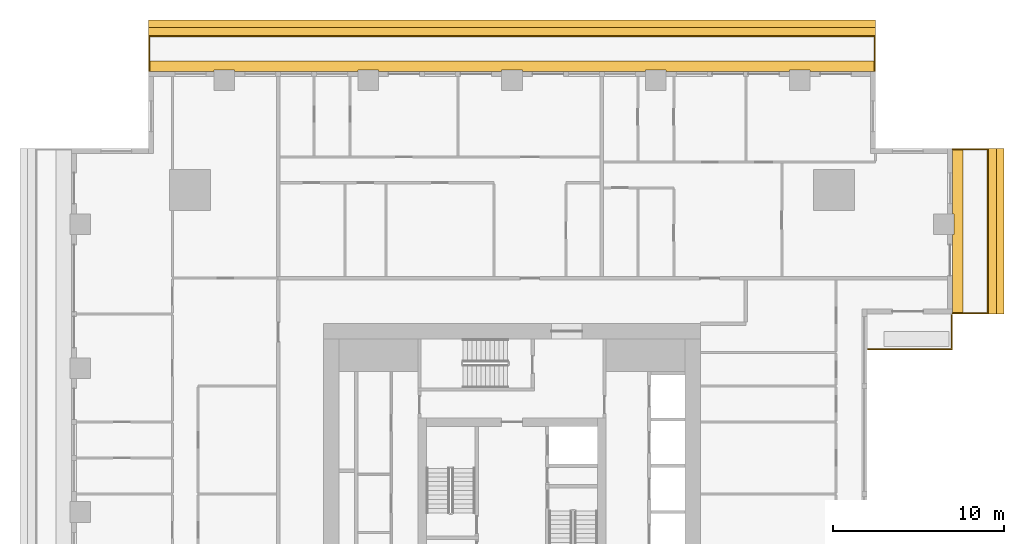
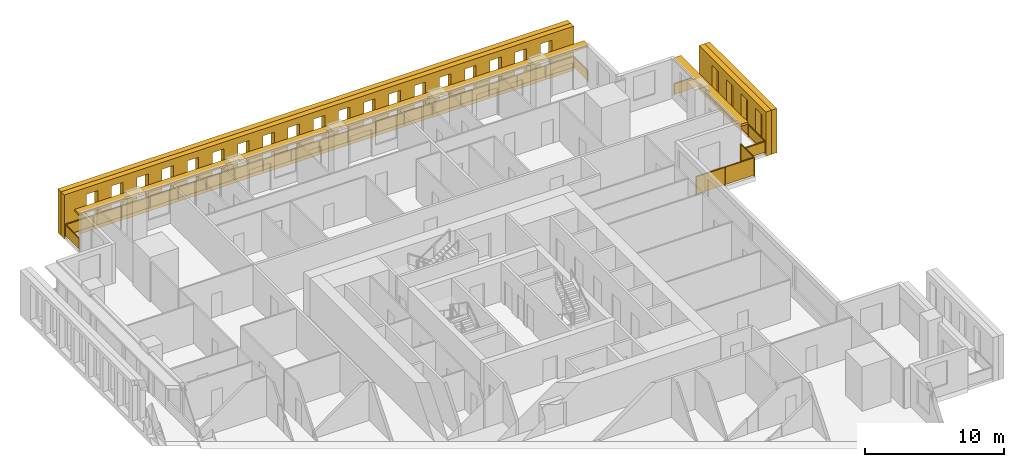
# One storey, part 15 of 15: 6 shading devices, 3 railings.
"""IFC4 building model written with IfcOpenShell, lengths in metres."""

from ifc_helpers import new_model, si_unit, direction, frame, origin, origin_2d, place, context, subcontext, project, spatial, polyline, rectangle, outline, extrude, material, layer, layer_set, type_object, element, save


model = new_model("IFC4")

# Units and contexts
model_context = context("Model", 3, precision=1e-05, world=origin(), true_north=direction((0.0, 1.0)))
body_context = subcontext(model_context, "Body", "Model", "MODEL_VIEW")
ifc_project = project(units=[si_unit("LENGTHUNIT", "METRE"), si_unit("AREAUNIT", "SQUARE_METRE"), si_unit("VOLUMEUNIT", "CUBIC_METRE"), si_unit("PLANEANGLEUNIT", "RADIAN"), si_unit("MASSUNIT", "GRAM", prefix="KILO")], contexts=[model_context])

# Site, building, storey
site_placement = place(None, origin())
site = spatial("IfcSite", under=ifc_project, at=site_placement, CompositionType="ELEMENT")
building_placement = place(site_placement, origin())
building = spatial("IfcBuilding", under=site, at=building_placement, Name="Khepri Terraces", CompositionType="ELEMENT")
storey_placement = place(building_placement, frame((0.0, 0.0, 219.60009765625)))
storey = spatial("IfcBuildingStorey", under=building, at=storey_placement, Name="L52", CompositionType="ELEMENT", Elevation=219.60009765625)

# Railings
ifc_material_1 = material(Name="Stainless steel grade 316", Category="steel")
railing_type_1 = type_object("IfcRailingType", Name="GRD-BAL-1100", PredefinedType="GUARDRAIL", material=ifc_material_1)
railing_1_placement = place(storey_placement, frame((25.719970703125, 11.60009765625, 0.0)))
element("IfcRailing", 1, at=railing_1_placement, inside=storey, type_object=railing_type_1, Name="Balcony guard L52 E", PredefinedType="GUARDRAIL", context=body_context, shape_type="SweptSolid", body=[
    extrude(rectangle(XDim=0.050048828125, YDim=0.06005859375, at=origin_2d()), frame((0.0, 0.0, 1.070068359375), z_axis=(1.0, 0.0, 0.0), x_axis=(0.0, 1.0, 0.0)), (0.0, 0.0, 1.0), 2.050048828125),
    extrude(rectangle(XDim=2.0, YDim=0.011962890625, at=origin_2d()), frame((1.02490234375, 0.0, 0.10009765625), z_axis=(0.0, 0.0, 1.0), x_axis=(1.0, 0.0, 0.0)), (0.0, 0.0, 1.0), 0.93994140625),
    extrude(rectangle(XDim=0.050048828125, YDim=0.06005859375, at=origin_2d()), frame((2.050048828125, 0.0, 1.070068359375), z_axis=(0.0, 1.0, 0.0), x_axis=(-1.0, 0.0, 0.0)), (0.0, 0.0, 1.0), 9.56982421875),
    extrude(rectangle(XDim=2.34228515625, YDim=0.011962890625, at=origin_2d()), frame((2.050048828125, 1.1962890625, 0.10009765625), z_axis=(0.0, 0.0, 1.0), x_axis=(0.0, 1.0, 0.0)), (0.0, 0.0, 1.0), 0.93994140625),
    extrude(rectangle(XDim=2.34228515625, YDim=0.011962890625, at=origin_2d()), frame((2.050048828125, 3.588623046875, 0.10009765625), z_axis=(0.0, 0.0, 1.0), x_axis=(0.0, 1.0, 0.0)), (0.0, 0.0, 1.0), 0.93994140625),
    extrude(rectangle(XDim=2.34228515625, YDim=0.011962890625, at=origin_2d()), frame((2.050048828125, 5.981201171875, 0.10009765625), z_axis=(0.0, 0.0, 1.0), x_axis=(0.0, 1.0, 0.0)), (0.0, 0.0, 1.0), 0.93994140625),
    extrude(rectangle(XDim=2.34228515625, YDim=0.011962890625, at=origin_2d()), frame((2.050048828125, 8.37353515625, 0.10009765625), z_axis=(0.0, 0.0, 1.0), x_axis=(0.0, 1.0, 0.0)), (0.0, 0.0, 1.0), 0.93994140625),
    extrude(rectangle(XDim=0.050048828125, YDim=0.06005859375, at=origin_2d()), frame((2.050048828125, 9.56982421875, 1.070068359375), z_axis=(-1.0, 0.0, 0.0), x_axis=(0.0, -1.0, 0.0)), (0.0, 0.0, 1.0), 2.050048828125),
    extrude(rectangle(XDim=2.0, YDim=0.011962890625, at=origin_2d()), frame((1.02490234375, 9.56982421875, 0.10009765625), z_axis=(0.0, 0.0, 1.0), x_axis=(-1.0, 0.0, 0.0)), (0.0, 0.0, 1.0), 0.93994140625),
    extrude(rectangle(XDim=0.050048828125, YDim=0.050048828125, at=origin_2d()), origin(), (0.0, 0.0, 1.0), 1.0400390625),
    extrude(rectangle(XDim=0.050048828125, YDim=0.050048828125, at=origin_2d()), frame((2.050048828125, 0.0, 0.0)), (0.0, 0.0, 1.0), 1.0400390625),
    extrude(rectangle(XDim=0.050048828125, YDim=0.050048828125, at=origin_2d()), frame((2.050048828125, 2.392578125, 0.0)), (0.0, 0.0, 1.0), 1.0400390625),
    extrude(rectangle(XDim=0.050048828125, YDim=0.050048828125, at=origin_2d()), frame((2.050048828125, 4.784912109375, 0.0)), (0.0, 0.0, 1.0), 1.0400390625),
    extrude(rectangle(XDim=0.050048828125, YDim=0.050048828125, at=origin_2d()), frame((2.050048828125, 7.17724609375, 0.0)), (0.0, 0.0, 1.0), 1.0400390625),
    extrude(rectangle(XDim=0.050048828125, YDim=0.050048828125, at=origin_2d()), frame((2.050048828125, 9.56982421875, 0.0)), (0.0, 0.0, 1.0), 1.0400390625),
    extrude(rectangle(XDim=0.050048828125, YDim=0.050048828125, at=origin_2d()), frame((0.0, 9.56982421875, 0.0)), (0.0, 0.0, 1.0), 1.0400390625),
])
railing_2_placement = place(storey_placement, frame((21.169921875, 25.719970703125, 0.0)))
element("IfcRailing", 2, at=railing_2_placement, inside=storey, type_object=railing_type_1, Name="Balcony guard L52 N", PredefinedType="GUARDRAIL", context=body_context, shape_type="SweptSolid", body=[
    extrude(rectangle(XDim=0.050048828125, YDim=0.06005859375, at=origin_2d()), frame((0.0, 0.0, 1.070068359375), z_axis=(0.0, 1.0, 0.0), x_axis=(-1.0, 0.0, 0.0)), (0.0, 0.0, 1.0), 2.050048828125),
    extrude(rectangle(XDim=2.0, YDim=0.011962890625, at=origin_2d()), frame((0.0, 1.02490234375, 0.10009765625), z_axis=(0.0, 0.0, 1.0), x_axis=(0.0, 1.0, 0.0)), (0.0, 0.0, 1.0), 0.93994140625),
    extrude(rectangle(XDim=0.050048828125, YDim=0.06005859375, at=origin_2d()), frame((0.0, 2.050048828125, 1.070068359375), z_axis=(-1.0, 0.0, 0.0), x_axis=(0.0, -1.0, 0.0)), (0.0, 0.0, 1.0), 42.33984375),
    extrude(rectangle(XDim=2.30224609375, YDim=0.011962890625, at=origin_2d()), frame((-1.176025390625, 2.050048828125, 0.10009765625), z_axis=(0.0, 0.0, 1.0), x_axis=(-1.0, 0.0, 0.0)), (0.0, 0.0, 1.0), 0.93994140625),
    extrude(rectangle(XDim=2.30224609375, YDim=0.011962890625, at=origin_2d()), frame((-3.5283203125, 2.050048828125, 0.10009765625), z_axis=(0.0, 0.0, 1.0), x_axis=(-1.0, 0.0, 0.0)), (0.0, 0.0, 1.0), 0.93994140625),
    extrude(rectangle(XDim=2.30224609375, YDim=0.011962890625, at=origin_2d()), frame((-5.880615234375, 2.050048828125, 0.10009765625), z_axis=(0.0, 0.0, 1.0), x_axis=(-1.0, 0.0, 0.0)), (0.0, 0.0, 1.0), 0.93994140625),
    extrude(rectangle(XDim=2.30224609375, YDim=0.011962890625, at=origin_2d()), frame((-8.232666015625, 2.050048828125, 0.10009765625), z_axis=(0.0, 0.0, 1.0), x_axis=(-1.0, 0.0, 0.0)), (0.0, 0.0, 1.0), 0.93994140625),
    extrude(rectangle(XDim=2.30224609375, YDim=0.011962890625, at=origin_2d()), frame((-10.5849609375, 2.050048828125, 0.10009765625), z_axis=(0.0, 0.0, 1.0), x_axis=(-1.0, 0.0, 0.0)), (0.0, 0.0, 1.0), 0.93994140625),
    extrude(rectangle(XDim=2.30224609375, YDim=0.011962890625, at=origin_2d()), frame((-12.937255859375, 2.050048828125, 0.10009765625), z_axis=(0.0, 0.0, 1.0), x_axis=(-1.0, 0.0, 0.0)), (0.0, 0.0, 1.0), 0.93994140625),
    extrude(rectangle(XDim=2.30224609375, YDim=0.011962890625, at=origin_2d()), frame((-15.289306640625, 2.050048828125, 0.10009765625), z_axis=(0.0, 0.0, 1.0), x_axis=(-1.0, 0.0, 0.0)), (0.0, 0.0, 1.0), 0.93994140625),
    extrude(rectangle(XDim=2.30224609375, YDim=0.011962890625, at=origin_2d()), frame((-17.6416015625, 2.050048828125, 0.10009765625), z_axis=(0.0, 0.0, 1.0), x_axis=(-1.0, 0.0, 0.0)), (0.0, 0.0, 1.0), 0.93994140625),
    extrude(rectangle(XDim=2.30224609375, YDim=0.011962890625, at=origin_2d()), frame((-19.993896484375, 2.050048828125, 0.10009765625), z_axis=(0.0, 0.0, 1.0), x_axis=(-1.0, 0.0, 0.0)), (0.0, 0.0, 1.0), 0.93994140625),
    extrude(rectangle(XDim=2.30224609375, YDim=0.011962890625, at=origin_2d()), frame((-22.345947265625, 2.050048828125, 0.10009765625), z_axis=(0.0, 0.0, 1.0), x_axis=(-1.0, 0.0, 0.0)), (0.0, 0.0, 1.0), 0.93994140625),
    extrude(rectangle(XDim=2.30224609375, YDim=0.011962890625, at=origin_2d()), frame((-24.6982421875, 2.050048828125, 0.10009765625), z_axis=(0.0, 0.0, 1.0), x_axis=(-1.0, 0.0, 0.0)), (0.0, 0.0, 1.0), 0.93994140625),
    extrude(rectangle(XDim=2.30224609375, YDim=0.011962890625, at=origin_2d()), frame((-27.050537109375, 2.050048828125, 0.10009765625), z_axis=(0.0, 0.0, 1.0), x_axis=(-1.0, 0.0, 0.0)), (0.0, 0.0, 1.0), 0.93994140625),
    extrude(rectangle(XDim=2.30224609375, YDim=0.011962890625, at=origin_2d()), frame((-29.402587890625, 2.050048828125, 0.10009765625), z_axis=(0.0, 0.0, 1.0), x_axis=(-1.0, 0.0, 0.0)), (0.0, 0.0, 1.0), 0.93994140625),
    extrude(rectangle(XDim=2.30224609375, YDim=0.011962890625, at=origin_2d()), frame((-31.7548828125, 2.050048828125, 0.10009765625), z_axis=(0.0, 0.0, 1.0), x_axis=(-1.0, 0.0, 0.0)), (0.0, 0.0, 1.0), 0.93994140625),
    extrude(rectangle(XDim=2.30224609375, YDim=0.011962890625, at=origin_2d()), frame((-34.107177734375, 2.050048828125, 0.10009765625), z_axis=(0.0, 0.0, 1.0), x_axis=(-1.0, 0.0, 0.0)), (0.0, 0.0, 1.0), 0.93994140625),
    extrude(rectangle(XDim=2.30224609375, YDim=0.011962890625, at=origin_2d()), frame((-36.459228515625, 2.050048828125, 0.10009765625), z_axis=(0.0, 0.0, 1.0), x_axis=(-1.0, 0.0, 0.0)), (0.0, 0.0, 1.0), 0.93994140625),
    extrude(rectangle(XDim=2.30224609375, YDim=0.011962890625, at=origin_2d()), frame((-38.8115234375, 2.050048828125, 0.10009765625), z_axis=(0.0, 0.0, 1.0), x_axis=(-1.0, 0.0, 0.0)), (0.0, 0.0, 1.0), 0.93994140625),
    extrude(rectangle(XDim=2.30224609375, YDim=0.011962890625, at=origin_2d()), frame((-41.163818359375, 2.050048828125, 0.10009765625), z_axis=(0.0, 0.0, 1.0), x_axis=(-1.0, 0.0, 0.0)), (0.0, 0.0, 1.0), 0.93994140625),
    extrude(rectangle(XDim=0.050048828125, YDim=0.06005859375, at=origin_2d()), frame((-42.33984375, 2.050048828125, 1.070068359375), z_axis=(0.0, -1.0, 0.0), x_axis=(1.0, 0.0, 0.0)), (0.0, 0.0, 1.0), 2.050048828125),
    extrude(rectangle(XDim=2.0, YDim=0.011962890625, at=origin_2d()), frame((-42.33984375, 1.02490234375, 0.10009765625), z_axis=(0.0, 0.0, 1.0), x_axis=(0.0, -1.0, 0.0)), (0.0, 0.0, 1.0), 0.93994140625),
    extrude(rectangle(XDim=0.050048828125, YDim=0.050048828125, at=origin_2d()), origin(), (0.0, 0.0, 1.0), 1.0400390625),
    extrude(rectangle(XDim=0.050048828125, YDim=0.050048828125, at=origin_2d()), frame((0.0, 2.050048828125, 0.0)), (0.0, 0.0, 1.0), 1.0400390625),
    extrude(rectangle(XDim=0.050048828125, YDim=0.050048828125, at=origin_2d()), frame((-2.352294921875, 2.050048828125, 0.0)), (0.0, 0.0, 1.0), 1.0400390625),
    extrude(rectangle(XDim=0.050048828125, YDim=0.050048828125, at=origin_2d()), frame((-4.704345703125, 2.050048828125, 0.0)), (0.0, 0.0, 1.0), 1.0400390625),
    extrude(rectangle(XDim=0.050048828125, YDim=0.050048828125, at=origin_2d()), frame((-7.056640625, 2.050048828125, 0.0)), (0.0, 0.0, 1.0), 1.0400390625),
    extrude(rectangle(XDim=0.050048828125, YDim=0.050048828125, at=origin_2d()), frame((-9.408935546875, 2.050048828125, 0.0)), (0.0, 0.0, 1.0), 1.0400390625),
    extrude(rectangle(XDim=0.050048828125, YDim=0.050048828125, at=origin_2d()), frame((-11.760986328125, 2.050048828125, 0.0)), (0.0, 0.0, 1.0), 1.0400390625),
    extrude(rectangle(XDim=0.050048828125, YDim=0.050048828125, at=origin_2d()), frame((-14.11328125, 2.050048828125, 0.0)), (0.0, 0.0, 1.0), 1.0400390625),
    extrude(rectangle(XDim=0.050048828125, YDim=0.050048828125, at=origin_2d()), frame((-16.465576171875, 2.050048828125, 0.0)), (0.0, 0.0, 1.0), 1.0400390625),
    extrude(rectangle(XDim=0.050048828125, YDim=0.050048828125, at=origin_2d()), frame((-18.817626953125, 2.050048828125, 0.0)), (0.0, 0.0, 1.0), 1.0400390625),
    extrude(rectangle(XDim=0.050048828125, YDim=0.050048828125, at=origin_2d()), frame((-21.169921875, 2.050048828125, 0.0)), (0.0, 0.0, 1.0), 1.0400390625),
    extrude(rectangle(XDim=0.050048828125, YDim=0.050048828125, at=origin_2d()), frame((-23.522216796875, 2.050048828125, 0.0)), (0.0, 0.0, 1.0), 1.0400390625),
    extrude(rectangle(XDim=0.050048828125, YDim=0.050048828125, at=origin_2d()), frame((-25.874267578125, 2.050048828125, 0.0)), (0.0, 0.0, 1.0), 1.0400390625),
    extrude(rectangle(XDim=0.050048828125, YDim=0.050048828125, at=origin_2d()), frame((-28.2265625, 2.050048828125, 0.0)), (0.0, 0.0, 1.0), 1.0400390625),
    extrude(rectangle(XDim=0.050048828125, YDim=0.050048828125, at=origin_2d()), frame((-30.578857421875, 2.050048828125, 0.0)), (0.0, 0.0, 1.0), 1.0400390625),
    extrude(rectangle(XDim=0.050048828125, YDim=0.050048828125, at=origin_2d()), frame((-32.930908203125, 2.050048828125, 0.0)), (0.0, 0.0, 1.0), 1.0400390625),
    extrude(rectangle(XDim=0.050048828125, YDim=0.050048828125, at=origin_2d()), frame((-35.283203125, 2.050048828125, 0.0)), (0.0, 0.0, 1.0), 1.0400390625),
    extrude(rectangle(XDim=0.050048828125, YDim=0.050048828125, at=origin_2d()), frame((-37.635498046875, 2.050048828125, 0.0)), (0.0, 0.0, 1.0), 1.0400390625),
    extrude(rectangle(XDim=0.050048828125, YDim=0.050048828125, at=origin_2d()), frame((-39.987548828125, 2.050048828125, 0.0)), (0.0, 0.0, 1.0), 1.0400390625),
    extrude(rectangle(XDim=0.050048828125, YDim=0.050048828125, at=origin_2d()), frame((-42.33984375, 2.050048828125, 0.0)), (0.0, 0.0, 1.0), 1.0400390625),
    extrude(rectangle(XDim=0.050048828125, YDim=0.050048828125, at=origin_2d()), frame((-42.33984375, 0.0, 0.0)), (0.0, 0.0, 1.0), 1.0400390625),
])
railing_type_2 = type_object("IfcRailingType", Name="GRD-TERR-1700", PredefinedType="GUARDRAIL", material=ifc_material_1)
railing_3_placement = place(storey_placement, frame((25.669921875, 11.47998046875, 0.0)))
element("IfcRailing", 3, at=railing_3_placement, inside=storey, type_object=railing_type_2, Name="Terrace guard L52", PredefinedType="GUARDRAIL", context=body_context, shape_type="SweptSolid", body=[
    extrude(rectangle(XDim=0.050048828125, YDim=0.06005859375, at=origin_2d()), frame((0.0, 0.0, 1.669921875), z_axis=(0.0, -1.0, 0.0), x_axis=(1.0, 0.0, 0.0)), (0.0, 0.0, 1.0), 1.97998046875),
    extrude(rectangle(XDim=1.929931640625, YDim=0.011962890625, at=origin_2d()), frame((0.0, -0.989990234375, 0.10009765625), z_axis=(0.0, 0.0, 1.0), x_axis=(0.0, -1.0, 0.0)), (0.0, 0.0, 1.0), 1.539794921875),
    extrude(rectangle(XDim=0.050048828125, YDim=0.06005859375, at=origin_2d()), frame((0.0, -1.97998046875, 1.669921875), z_axis=(-1.0, 0.0, 0.0), x_axis=(0.0, -1.0, 0.0)), (0.0, 0.0, 1.0), 4.8798828125),
    extrude(rectangle(XDim=2.389892578125, YDim=0.011962890625, at=origin_2d()), frame((-1.219970703125, -1.97998046875, 0.10009765625), z_axis=(0.0, 0.0, 1.0), x_axis=(-1.0, 0.0, 0.0)), (0.0, 0.0, 1.0), 1.539794921875),
    extrude(rectangle(XDim=2.389892578125, YDim=0.011962890625, at=origin_2d()), frame((-3.659912109375, -1.97998046875, 0.10009765625), z_axis=(0.0, 0.0, 1.0), x_axis=(-1.0, 0.0, 0.0)), (0.0, 0.0, 1.0), 1.539794921875),
    extrude(rectangle(XDim=0.050048828125, YDim=0.050048828125, at=origin_2d()), origin(), (0.0, 0.0, 1.0), 1.639892578125),
    extrude(rectangle(XDim=0.050048828125, YDim=0.050048828125, at=origin_2d()), frame((0.0, -1.97998046875, 0.0)), (0.0, 0.0, 1.0), 1.639892578125),
    extrude(rectangle(XDim=0.050048828125, YDim=0.050048828125, at=origin_2d()), frame((-2.43994140625, -1.97998046875, 0.0)), (0.0, 0.0, 1.0), 1.639892578125),
    extrude(rectangle(XDim=0.050048828125, YDim=0.050048828125, at=origin_2d()), frame((-4.8798828125, -1.97998046875, 0.0)), (0.0, 0.0, 1.0), 1.639892578125),
])

# Shading devices
ifc_material_2 = material(Name="Precast concrete C50/60 warm stone", Category="masonry")
shading_device_type_1 = type_object("IfcShadingDeviceType", Name="SCR-CELL-INNER-450", PredefinedType="USERDEFINED", material=ifc_material_2)
shading_device_1_placement = place(storey_placement, frame((27.820068359375, 11.550048828125, -0.25), z_axis=(1.0, 0.0, 0.0), x_axis=(0.0, 1.0, 0.0)))
element("IfcShadingDevice", 4, at=shading_device_1_placement, inside=storey, type_object=shading_device_type_1, Name="Cell screen L52 E in", ObjectType="SCREEN", PredefinedType="USERDEFINED", context=body_context, shape_type="SweptSolid", body=[
    extrude(outline(polyline([(0.0, 0.0), (9.669921875, 0.0), (9.669921875, 3.89990234375), (0.0, 3.89990234375), (0.0, 0.0)]), holes=[polyline([(0.577392578125, 0.699951171875), (1.5224609375, 0.699951171875), (1.5224609375, 3.300048828125), (0.577392578125, 3.300048828125), (0.577392578125, 0.699951171875)]), polyline([(2.677490234375, 0.699951171875), (3.62255859375, 0.699951171875), (3.62255859375, 3.300048828125), (2.677490234375, 3.300048828125), (2.677490234375, 0.699951171875)]), polyline([(4.777587890625, 0.699951171875), (5.722412109375, 0.699951171875), (5.722412109375, 3.300048828125), (4.777587890625, 3.300048828125), (4.777587890625, 0.699951171875)]), polyline([(6.87744140625, 0.699951171875), (7.822509765625, 0.699951171875), (7.822509765625, 3.300048828125), (6.87744140625, 3.300048828125), (6.87744140625, 0.699951171875)])]), origin(), (0.0, 0.0, 1.0), 0.449951171875),
])
shading_device_2_placement = place(storey_placement, frame((21.219970703125, 27.820068359375, -0.25), z_axis=(0.0, 1.0, 0.0), x_axis=(-1.0, 0.0, 0.0)))
element("IfcShadingDevice", 5, at=shading_device_2_placement, inside=storey, type_object=shading_device_type_1, Name="Cell screen L52 N in", ObjectType="SCREEN", PredefinedType="USERDEFINED", context=body_context, shape_type="SweptSolid", body=[
    extrude(outline(polyline([(0.0, 0.0), (42.43994140625, 0.0), (42.43994140625, 3.89990234375), (0.0, 3.89990234375), (0.0, 0.0)]), holes=[polyline([(1.847412109375, 0.699951171875), (2.79248046875, 0.699951171875), (2.79248046875, 3.300048828125), (1.847412109375, 3.300048828125), (1.847412109375, 0.699951171875)]), polyline([(3.947509765625, 0.699951171875), (4.892578125, 0.699951171875), (4.892578125, 3.300048828125), (3.947509765625, 3.300048828125), (3.947509765625, 0.699951171875)]), polyline([(6.047607421875, 0.699951171875), (6.992431640625, 0.699951171875), (6.992431640625, 3.300048828125), (6.047607421875, 3.300048828125), (6.047607421875, 0.699951171875)]), polyline([(8.1474609375, 0.699951171875), (9.092529296875, 0.699951171875), (9.092529296875, 3.300048828125), (8.1474609375, 3.300048828125), (8.1474609375, 0.699951171875)]), polyline([(10.24755859375, 0.699951171875), (11.1923828125, 0.699951171875), (11.1923828125, 3.300048828125), (10.24755859375, 3.300048828125), (10.24755859375, 0.699951171875)]), polyline([(12.347412109375, 0.699951171875), (13.29248046875, 0.699951171875), (13.29248046875, 3.300048828125), (12.347412109375, 3.300048828125), (12.347412109375, 0.699951171875)]), polyline([(14.447509765625, 0.699951171875), (15.392578125, 0.699951171875), (15.392578125, 3.300048828125), (14.447509765625, 3.300048828125), (14.447509765625, 0.699951171875)]), polyline([(16.547607421875, 0.699951171875), (17.492431640625, 0.699951171875), (17.492431640625, 3.300048828125), (16.547607421875, 3.300048828125), (16.547607421875, 0.699951171875)]), polyline([(18.6474609375, 0.699951171875), (19.592529296875, 0.699951171875), (19.592529296875, 3.300048828125), (18.6474609375, 3.300048828125), (18.6474609375, 0.699951171875)]), polyline([(20.74755859375, 0.699951171875), (21.6923828125, 0.699951171875), (21.6923828125, 3.300048828125), (20.74755859375, 3.300048828125), (20.74755859375, 0.699951171875)]), polyline([(22.847412109375, 0.699951171875), (23.79248046875, 0.699951171875), (23.79248046875, 3.300048828125), (22.847412109375, 3.300048828125), (22.847412109375, 0.699951171875)]), polyline([(24.947509765625, 0.699951171875), (25.892578125, 0.699951171875), (25.892578125, 3.300048828125), (24.947509765625, 3.300048828125), (24.947509765625, 0.699951171875)]), polyline([(27.047607421875, 0.699951171875), (27.992431640625, 0.699951171875), (27.992431640625, 3.300048828125), (27.047607421875, 3.300048828125), (27.047607421875, 0.699951171875)]), polyline([(29.1474609375, 0.699951171875), (30.092529296875, 0.699951171875), (30.092529296875, 3.300048828125), (29.1474609375, 3.300048828125), (29.1474609375, 0.699951171875)]), polyline([(31.24755859375, 0.699951171875), (32.1923828125, 0.699951171875), (32.1923828125, 3.300048828125), (31.24755859375, 3.300048828125), (31.24755859375, 0.699951171875)]), polyline([(33.347412109375, 0.699951171875), (34.29248046875, 0.699951171875), (34.29248046875, 3.300048828125), (33.347412109375, 3.300048828125), (33.347412109375, 0.699951171875)]), polyline([(35.447509765625, 0.699951171875), (36.392578125, 0.699951171875), (36.392578125, 3.300048828125), (35.447509765625, 3.300048828125), (35.447509765625, 0.699951171875)]), polyline([(37.547607421875, 0.699951171875), (38.492431640625, 0.699951171875), (38.492431640625, 3.300048828125), (37.547607421875, 3.300048828125), (37.547607421875, 0.699951171875)]), polyline([(39.6474609375, 0.699951171875), (40.592529296875, 0.699951171875), (40.592529296875, 3.300048828125), (39.6474609375, 3.300048828125), (39.6474609375, 0.699951171875)])]), origin(), (0.0, 0.0, 1.0), 0.449951171875),
])
shading_device_type_2 = type_object("IfcShadingDeviceType", Name="SCR-CELL-OUTER-450", PredefinedType="USERDEFINED", material=ifc_material_2)
shading_device_3_placement = place(storey_placement, frame((28.27001953125, 11.550048828125, -0.25), z_axis=(1.0, 0.0, 0.0), x_axis=(0.0, 1.0, 0.0)))
element("IfcShadingDevice", 6, at=shading_device_3_placement, inside=storey, type_object=shading_device_type_2, Name="Cell screen L52 E out", ObjectType="SCREEN", PredefinedType="USERDEFINED", context=body_context, shape_type="SweptSolid", body=[
    extrude(outline(polyline([(0.0, 0.0), (9.669921875, 0.0), (9.669921875, 3.89990234375), (0.0, 3.89990234375), (0.0, 0.0)]), holes=[polyline([(0.2275390625, 0.449951171875), (1.87255859375, 0.449951171875), (1.87255859375, 3.550048828125), (0.2275390625, 3.550048828125), (0.2275390625, 0.449951171875)]), polyline([(2.327392578125, 0.449951171875), (3.972412109375, 0.449951171875), (3.972412109375, 3.550048828125), (2.327392578125, 3.550048828125), (2.327392578125, 0.449951171875)]), polyline([(4.427490234375, 0.449951171875), (6.072509765625, 0.449951171875), (6.072509765625, 3.550048828125), (4.427490234375, 3.550048828125), (4.427490234375, 0.449951171875)]), polyline([(6.527587890625, 0.449951171875), (8.172607421875, 0.449951171875), (8.172607421875, 3.550048828125), (6.527587890625, 3.550048828125), (6.527587890625, 0.449951171875)])]), origin(), (0.0, 0.0, 1.0), 0.449951171875),
])
shading_device_4_placement = place(storey_placement, frame((21.219970703125, 28.27001953125, -0.25), z_axis=(0.0, 1.0, 0.0), x_axis=(-1.0, 0.0, 0.0)))
element("IfcShadingDevice", 7, at=shading_device_4_placement, inside=storey, type_object=shading_device_type_2, Name="Cell screen L52 N out", ObjectType="SCREEN", PredefinedType="USERDEFINED", context=body_context, shape_type="SweptSolid", body=[
    extrude(outline(polyline([(0.0, 0.0), (42.43994140625, 0.0), (42.43994140625, 3.89990234375), (0.0, 3.89990234375), (0.0, 0.0)]), holes=[polyline([(1.49755859375, 0.449951171875), (3.142578125, 0.449951171875), (3.142578125, 3.550048828125), (1.49755859375, 3.550048828125), (1.49755859375, 0.449951171875)]), polyline([(3.597412109375, 0.449951171875), (5.242431640625, 0.449951171875), (5.242431640625, 3.550048828125), (3.597412109375, 3.550048828125), (3.597412109375, 0.449951171875)]), polyline([(5.697509765625, 0.449951171875), (7.342529296875, 0.449951171875), (7.342529296875, 3.550048828125), (5.697509765625, 3.550048828125), (5.697509765625, 0.449951171875)]), polyline([(7.797607421875, 0.449951171875), (9.4423828125, 0.449951171875), (9.4423828125, 3.550048828125), (7.797607421875, 3.550048828125), (7.797607421875, 0.449951171875)]), polyline([(9.8974609375, 0.449951171875), (11.54248046875, 0.449951171875), (11.54248046875, 3.550048828125), (9.8974609375, 3.550048828125), (9.8974609375, 0.449951171875)]), polyline([(11.99755859375, 0.449951171875), (13.642578125, 0.449951171875), (13.642578125, 3.550048828125), (11.99755859375, 3.550048828125), (11.99755859375, 0.449951171875)]), polyline([(14.097412109375, 0.449951171875), (15.742431640625, 0.449951171875), (15.742431640625, 3.550048828125), (14.097412109375, 3.550048828125), (14.097412109375, 0.449951171875)]), polyline([(16.197509765625, 0.449951171875), (17.842529296875, 0.449951171875), (17.842529296875, 3.550048828125), (16.197509765625, 3.550048828125), (16.197509765625, 0.449951171875)]), polyline([(18.297607421875, 0.449951171875), (19.9423828125, 0.449951171875), (19.9423828125, 3.550048828125), (18.297607421875, 3.550048828125), (18.297607421875, 0.449951171875)]), polyline([(20.3974609375, 0.449951171875), (22.04248046875, 0.449951171875), (22.04248046875, 3.550048828125), (20.3974609375, 3.550048828125), (20.3974609375, 0.449951171875)]), polyline([(22.49755859375, 0.449951171875), (24.142578125, 0.449951171875), (24.142578125, 3.550048828125), (22.49755859375, 3.550048828125), (22.49755859375, 0.449951171875)]), polyline([(24.597412109375, 0.449951171875), (26.242431640625, 0.449951171875), (26.242431640625, 3.550048828125), (24.597412109375, 3.550048828125), (24.597412109375, 0.449951171875)]), polyline([(26.697509765625, 0.449951171875), (28.342529296875, 0.449951171875), (28.342529296875, 3.550048828125), (26.697509765625, 3.550048828125), (26.697509765625, 0.449951171875)]), polyline([(28.797607421875, 0.449951171875), (30.4423828125, 0.449951171875), (30.4423828125, 3.550048828125), (28.797607421875, 3.550048828125), (28.797607421875, 0.449951171875)]), polyline([(30.8974609375, 0.449951171875), (32.54248046875, 0.449951171875), (32.54248046875, 3.550048828125), (30.8974609375, 3.550048828125), (30.8974609375, 0.449951171875)]), polyline([(32.99755859375, 0.449951171875), (34.642578125, 0.449951171875), (34.642578125, 3.550048828125), (32.99755859375, 3.550048828125), (32.99755859375, 0.449951171875)]), polyline([(35.097412109375, 0.449951171875), (36.742431640625, 0.449951171875), (36.742431640625, 3.550048828125), (35.097412109375, 3.550048828125), (35.097412109375, 0.449951171875)]), polyline([(37.197509765625, 0.449951171875), (38.842529296875, 0.449951171875), (38.842529296875, 3.550048828125), (37.197509765625, 3.550048828125), (37.197509765625, 0.449951171875)]), polyline([(39.297607421875, 0.449951171875), (40.9423828125, 0.449951171875), (40.9423828125, 3.550048828125), (39.297607421875, 3.550048828125), (39.297607421875, 0.449951171875)])]), origin(), (0.0, 0.0, 1.0), 0.449951171875),
])
ifc_layer = layer(ifc_material_2, 0.199951171875, Name="Precast concrete C50/60 warm stone", Category="masonry")
ifc_layer_set = layer_set([ifc_layer], Name="Precast concrete C50/60 warm stone")
shading_device_type_3 = type_object("IfcShadingDeviceType", Name="SSH-BAND-STONE-200-N", PredefinedType="USERDEFINED", material=ifc_layer_set)
shading_device_5_placement = place(storey_placement, frame((0.0, 0.0, 3.099853515625)))
element("IfcShadingDevice", 8, at=shading_device_5_placement, inside=storey, type_object=shading_device_type_3, Name="Sunshade band L52 E", ObjectType="SUNSHADE", PredefinedType="USERDEFINED", context=body_context, shape_type="SweptSolid", body=[
    extrude(outline(polyline([(25.719970703125, 16.199951171875), (25.719970703125, 11.550048828125), (26.320068359375, 11.550048828125), (26.320068359375, 21.219970703125), (25.719970703125, 21.219970703125), (25.719970703125, 17.39990234375), (25.800048828125, 17.39990234375), (25.800048828125, 16.199951171875), (25.719970703125, 16.199951171875)])), origin(), (0.0, 0.0, 1.0), 0.199951171875),
])
shading_device_6_placement = place(storey_placement, frame((0.0, 0.0, 3.099853515625)))
element("IfcShadingDevice", 9, at=shading_device_6_placement, inside=storey, type_object=shading_device_type_3, Name="Sunshade band L52 N", ObjectType="SUNSHADE", PredefinedType="USERDEFINED", context=body_context, shape_type="SweptSolid", body=[
    extrude(outline(polyline([(17.39990234375, 25.719970703125), (21.219970703125, 25.719970703125), (21.219970703125, 26.320068359375), (-21.219970703125, 26.320068359375), (-21.219970703125, 25.719970703125), (-17.39990234375, 25.719970703125), (-17.39990234375, 25.800048828125), (-16.199951171875, 25.800048828125), (-16.199951171875, 25.719970703125), (-9.0, 25.719970703125), (-9.0, 25.800048828125), (-7.800048828125, 25.800048828125), (-7.800048828125, 25.719970703125), (-0.60009765625, 25.719970703125), (-0.60009765625, 25.800048828125), (0.60009765625, 25.800048828125), (0.60009765625, 25.719970703125), (7.800048828125, 25.719970703125), (7.800048828125, 25.800048828125), (9.0, 25.800048828125), (9.0, 25.719970703125), (16.199951171875, 25.719970703125), (16.199951171875, 25.800048828125), (17.39990234375, 25.800048828125), (17.39990234375, 25.719970703125)])), origin(), (0.0, 0.0, 1.0), 0.199951171875),
])

save(model, "model.ifc")
